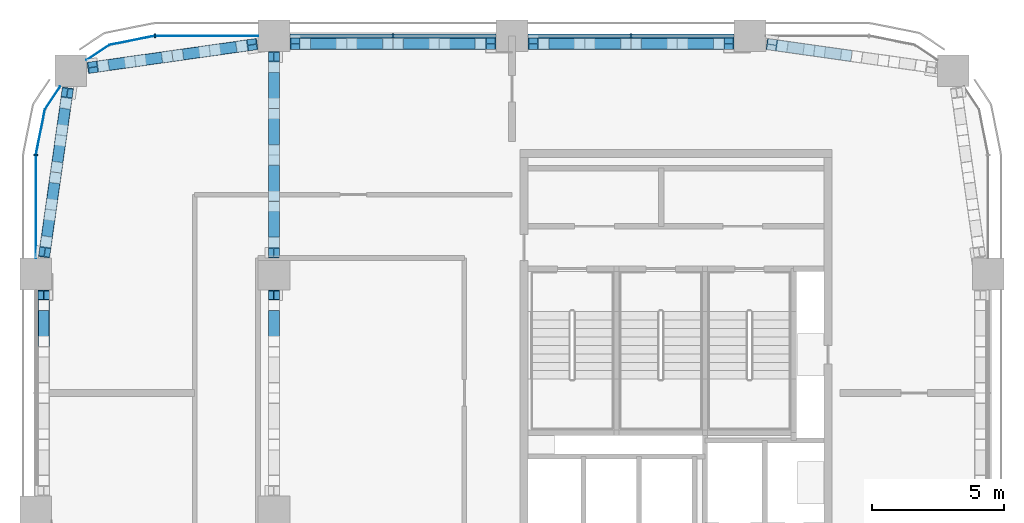
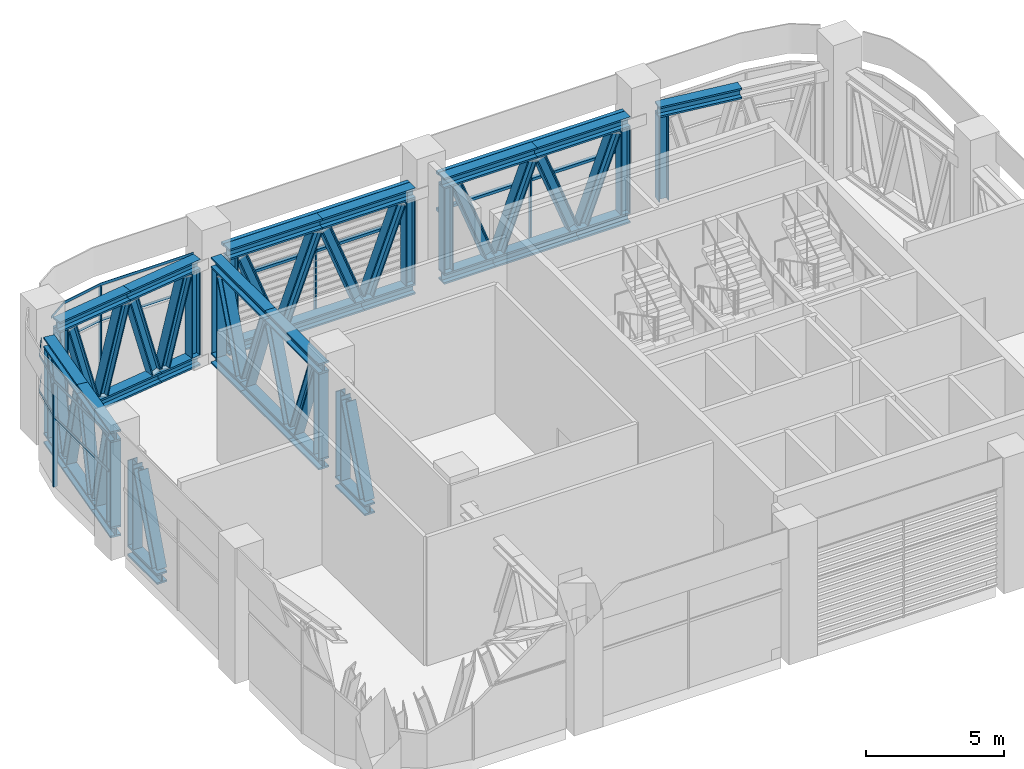
# One storey, part 4 of 14: 75 members, 4 elements without a shape of their own.
"""IFC4 building model written with IfcOpenShell, lengths in metres."""

from ifc_helpers import new_model, si_unit, direction, frame, origin, origin_2d, place, context, subcontext, project, spatial, polyline, rectangle, i_section, outline, extrude, material, material_profile, profile_set, type_object, element, aggregate, save


model = new_model("IFC4")

# Units and contexts
model_context = context("Model", 3, precision=1e-05, world=origin(), true_north=direction((0.0, 1.0)))
body_context = subcontext(model_context, "Body", "Model", "MODEL_VIEW")
ifc_project = project(units=[si_unit("LENGTHUNIT", "METRE"), si_unit("AREAUNIT", "SQUARE_METRE"), si_unit("VOLUMEUNIT", "CUBIC_METRE"), si_unit("PLANEANGLEUNIT", "RADIAN"), si_unit("MASSUNIT", "GRAM", prefix="KILO")], contexts=[model_context])

# Site, building, storey
site_placement = place(None, origin())
site = spatial("IfcSite", under=ifc_project, at=site_placement, CompositionType="ELEMENT")
building_placement = place(site_placement, origin())
building = spatial("IfcBuilding", under=site, at=building_placement, Name="Tessera Arch", CompositionType="ELEMENT")
storey_placement = place(building_placement, frame((0.0, 0.0, 295.199951171875)))
storey = spatial("IfcBuildingStorey", under=building, at=storey_placement, Name="L71", CompositionType="ELEMENT", Elevation=295.199951171875)

# Curtain wall, member
ifc_material_1 = material(Name="CW7 curtain wall")
curtain_wall_type = type_object("IfcCurtainWallType", Name="CW7 curtain wall", PredefinedType="NOTDEFINED", material=ifc_material_1)
curtain_wall_1_placement = place(storey_placement, origin())
curtain_wall_1 = element("IfcCurtainWall", 1, at=curtain_wall_1_placement, inside=storey, type_object=curtain_wall_type, Name="CW7 curtain wall N54.18/1 L71", PredefinedType="NOTDEFINED")
ifc_material_2 = material(Name="Anodised aluminium pale metal", Category="aluminium")
ifc_material_profile_1 = material_profile(ifc_material_2, rectangle(XDim=0.159912109375, YDim=0.06005859375, at=origin_2d()), Name="AL 60x160")
ifc_profile_set_1 = profile_set([ifc_material_profile_1], Name="Anodised aluminium pale metal")
member_type_1 = type_object("IfcMemberType", Name="CW7 mullion", PredefinedType="MULLION", material=ifc_profile_set_1)
member_1_placement = place(storey_placement, frame((40.5, 54.0, 0.0), z_axis=(0.0, 0.0, 1.0), x_axis=(0.0, -1.0, 0.0)))
member_1 = element("IfcMember", 2, at=member_1_placement, type_object=member_type_1, Name="CW7 mullion N54.18/1 1", PredefinedType="MULLION", context=body_context, shape_type="SweptSolid", body=[
    extrude(rectangle(XDim=0.159912109375, YDim=0.06005859375, at=origin_2d()), origin(), (0.0, 0.0, 1.0), 4.580078125),
])

curtain_wall_2_placement = place(storey_placement, origin())
curtain_wall_2 = element("IfcCurtainWall", 3, at=curtain_wall_2_placement, inside=storey, type_object=curtain_wall_type, Name="CW7 curtain wall N54.18/2 L71", PredefinedType="NOTDEFINED")
member_2_placement = place(storey_placement, frame((31.5, 54.0, 0.0), z_axis=(0.0, 0.0, 1.0), x_axis=(0.0, -1.0, 0.0)))
member_2 = element("IfcMember", 4, at=member_2_placement, type_object=member_type_1, Name="CW7 mullion N54.18/2 1", PredefinedType="MULLION", context=body_context, shape_type="SweptSolid", body=[
    extrude(rectangle(XDim=0.159912109375, YDim=0.06005859375, at=origin_2d()), origin(), (0.0, 0.0, 1.0), 4.580078125),
])

curtain_wall_3_placement = place(storey_placement, origin())
curtain_wall_3 = element("IfcCurtainWall", 5, at=curtain_wall_3_placement, inside=storey, type_object=curtain_wall_type, Name="CW7 curtain wall N54.18/3 L71", PredefinedType="NOTDEFINED")
member_3_placement = place(storey_placement, frame((22.5, 54.0, 0.0), z_axis=(0.0, 0.0, 1.0), x_axis=(0.0, -1.0, 0.0)))
member_3 = element("IfcMember", 6, at=member_3_placement, type_object=member_type_1, Name="CW7 mullion N54.18/3 1", PredefinedType="MULLION", context=body_context, shape_type="SweptSolid", body=[
    extrude(rectangle(XDim=0.159912109375, YDim=0.06005859375, at=origin_2d()), origin(), (0.0, 0.0, 1.0), 4.580078125),
])

curtain_wall_4_placement = place(storey_placement, origin())
curtain_wall_4 = element("IfcCurtainWall", 7, at=curtain_wall_4_placement, inside=storey, type_object=curtain_wall_type, Name="CW7 curtain wall W18.27/0 L71", PredefinedType="NOTDEFINED")
member_4_placement = place(storey_placement, frame((18.0, 49.5, 0.0), z_axis=(0.0, 0.0, 1.0), x_axis=(1.0, 0.0, 0.0)))
member_4 = element("IfcMember", 8, at=member_4_placement, type_object=member_type_1, Name="CW7 mullion W18.27/0 1", PredefinedType="MULLION", context=body_context, shape_type="SweptSolid", body=[
    extrude(rectangle(XDim=0.159912109375, YDim=0.06005859375, at=origin_2d()), origin(), (0.0, 0.0, 1.0), 4.580078125),
])

# Member
ifc_material_3 = material(Name="Anodised aluminium pale metal", Category="aluminium")
ifc_material_profile_2 = material_profile(ifc_material_3, rectangle(XDim=0.159912109375, YDim=0.1201171875, at=origin_2d()), Name="AL 160x120")
ifc_profile_set_2 = profile_set([ifc_material_profile_2], Name="Anodised aluminium pale metal")
member_type_2 = type_object("IfcMemberType", Name="CW7 transom", PredefinedType="USERDEFINED", material=ifc_profile_set_2)
member_5_placement = place(storey_placement, frame((44.39990234375, 54.0, 4.64013671875), z_axis=(-1.0, 0.0, 0.0), x_axis=(0.0, -1.0, 0.0)))
member_5 = element("IfcMember", 9, at=member_5_placement, type_object=member_type_2, Name="CW7 transom N54.18/1 1.1", ObjectType="TRANSOM", PredefinedType="USERDEFINED", context=body_context, shape_type="SweptSolid", body=[
    extrude(rectangle(XDim=0.159912109375, YDim=0.1201171875, at=origin_2d()), origin(), (0.0, 0.0, 1.0), 7.7998046875),
])

member_6_placement = place(storey_placement, frame((44.39990234375, 54.0, 3.0), z_axis=(-1.0, 0.0, 0.0), x_axis=(0.0, -1.0, 0.0)))
member_6 = element("IfcMember", 10, at=member_6_placement, type_object=member_type_2, Name="CW7 transom N54.18/1 2.1", ObjectType="TRANSOM", PredefinedType="USERDEFINED", context=body_context, shape_type="SweptSolid", body=[
    extrude(rectangle(XDim=0.159912109375, YDim=0.1201171875, at=origin_2d()), origin(), (0.0, 0.0, 1.0), 7.7998046875),
])

aggregate(curtain_wall_1, [member_1, member_5, member_6])

member_7_placement = place(storey_placement, frame((35.39990234375, 54.0, 4.64013671875), z_axis=(-1.0, 0.0, 0.0), x_axis=(0.0, -1.0, 0.0)))
member_7 = element("IfcMember", 11, at=member_7_placement, type_object=member_type_2, Name="CW7 transom N54.18/2 1.1", ObjectType="TRANSOM", PredefinedType="USERDEFINED", context=body_context, shape_type="SweptSolid", body=[
    extrude(rectangle(XDim=0.159912109375, YDim=0.1201171875, at=origin_2d()), origin(), (0.0, 0.0, 1.0), 7.7998046875),
])

member_8_placement = place(storey_placement, frame((35.39990234375, 54.0, 3.0), z_axis=(-1.0, 0.0, 0.0), x_axis=(0.0, -1.0, 0.0)))
member_8 = element("IfcMember", 12, at=member_8_placement, type_object=member_type_2, Name="CW7 transom N54.18/2 2.1", ObjectType="TRANSOM", PredefinedType="USERDEFINED", context=body_context, shape_type="SweptSolid", body=[
    extrude(rectangle(XDim=0.159912109375, YDim=0.1201171875, at=origin_2d()), origin(), (0.0, 0.0, 1.0), 7.7998046875),
])

aggregate(curtain_wall_2, [member_2, member_7, member_8])

member_9_placement = place(storey_placement, frame((0.0, 0.0, 3.0)))
member_9 = element("IfcMember", 13, at=member_9_placement, type_object=member_type_2, Name="CW7 transom N54.18/3 1", ObjectType="TRANSOM", PredefinedType="USERDEFINED", context=body_context, shape_type="SweptSolid", body=[
    extrude(outline(polyline([(22.5009765625, 53.989990234375), (26.39990234375, 53.989990234375), (26.39990234375, 54.010009765625), (22.4990234375, 54.010009765625), (20.77392578125, 53.6669921875), (19.912353515625, 53.09130859375), (19.923583984375, 53.07470703125), (20.78173828125, 53.648193359375), (22.5009765625, 53.989990234375)])), origin(), (0.0, 0.0, 1.0), 0.1201171875),
])

member_10_placement = place(storey_placement, frame((0.0, 0.0, 4.580078125)))
member_10 = element("IfcMember", 14, at=member_10_placement, type_object=member_type_2, Name="CW7 transom N54.18/3 2", ObjectType="TRANSOM", PredefinedType="USERDEFINED", context=body_context, shape_type="SweptSolid", body=[
    extrude(outline(polyline([(22.5009765625, 53.989990234375), (26.39990234375, 53.989990234375), (26.39990234375, 54.010009765625), (22.4990234375, 54.010009765625), (20.77392578125, 53.6669921875), (19.912353515625, 53.09130859375), (19.923583984375, 53.07470703125), (20.78173828125, 53.648193359375), (22.5009765625, 53.989990234375)])), origin(), (0.0, 0.0, 1.0), 0.119873046875),
])

aggregate(curtain_wall_3, [member_3, member_9, member_10])

member_11_placement = place(storey_placement, frame((0.0, 0.0, 3.0)))
member_11 = element("IfcMember", 15, at=member_11_placement, type_object=member_type_2, Name="CW7 transom W18.27/0 1", ObjectType="TRANSOM", PredefinedType="USERDEFINED", context=body_context, shape_type="SweptSolid", body=[
    extrude(outline(polyline([(18.351806640625, 51.21826171875), (18.92529296875, 52.076416015625), (18.90869140625, 52.087646484375), (18.3330078125, 51.22607421875), (17.989990234375, 49.5009765625), (17.989990234375, 45.60009765625), (18.010009765625, 45.60009765625), (18.010009765625, 49.4990234375), (18.351806640625, 51.21826171875)])), origin(), (0.0, 0.0, 1.0), 0.1201171875),
])

member_12_placement = place(storey_placement, frame((0.0, 0.0, 4.580078125)))
member_12 = element("IfcMember", 16, at=member_12_placement, type_object=member_type_2, Name="CW7 transom W18.27/0 2", ObjectType="TRANSOM", PredefinedType="USERDEFINED", context=body_context, shape_type="SweptSolid", body=[
    extrude(outline(polyline([(18.351806640625, 51.21826171875), (18.92529296875, 52.076416015625), (18.90869140625, 52.087646484375), (18.3330078125, 51.22607421875), (17.989990234375, 49.5009765625), (17.989990234375, 45.60009765625), (18.010009765625, 45.60009765625), (18.010009765625, 49.4990234375), (18.351806640625, 51.21826171875)])), origin(), (0.0, 0.0, 1.0), 0.119873046875),
])

aggregate(curtain_wall_4, [member_4, member_11, member_12])

# Members
ifc_material_4 = material(Name="Steel A992 Gr50", Category="steel")
ifc_material_profile_3 = material_profile(ifc_material_4, i_section(OverallWidth=0.424072265625, OverallDepth=0.47412109375, WebThickness=0.047607421875, FlangeThickness=0.0771484375, at=origin_2d()), Name="W14x426")
ifc_profile_set_3 = profile_set([ifc_material_profile_3], Name="Steel A992 Gr50")
member_type_3 = type_object("IfcMemberType", Name="Truss chord W14x426", PredefinedType="CHORD", material=ifc_profile_set_3)
member_13_placement = place(storey_placement, frame((48.834716796875, 53.2392578125, 4.462890625), z_axis=(-0.990132683827, 0.140133038281, 0.0), x_axis=(-0.140133038281, -0.990132683827, 0.0)))
element("IfcMember", 17, at=member_13_placement, inside=storey, type_object=member_type_3, Name="Belt truss top chord 2", PredefinedType="CHORD", context=body_context, shape_type="SweptSolid", body=[
    extrude(i_section(OverallWidth=0.424072265625, OverallDepth=0.47412109375, WebThickness=0.047607421875, FlangeThickness=0.0771484375, at=origin_2d()), origin(), (0.0, 0.0, 1.0), 3.237060546875),
])
for number, where, z_axis, x_axis, name in (
    (18, (44.39990234375, 53.699951171875, 4.462890625), (-1.0, 0.0, 0.0), (0.0, -1.0, 0.0), "Belt truss top chord 1"),
    (19, (40.5, 53.699951171875, 4.462890625), (-1.0, 0.0, 0.0), (0.0, -1.0, 0.0), "Belt truss top chord 2"),
):
    element("IfcMember", number, at=place(storey_placement, frame(where, z_axis=z_axis, x_axis=x_axis)), inside=storey, type_object=member_type_3, Name=name, PredefinedType="CHORD", context=body_context, shape_type="SweptSolid", body=[
        extrude(i_section(OverallWidth=0.424072265625, OverallDepth=0.47412109375, WebThickness=0.047607421875, FlangeThickness=0.0771484375, at=origin_2d()), origin(), (0.0, 0.0, 1.0), 3.89990234375),
    ])
member_14_placement = place(storey_placement, frame((44.39990234375, 53.699951171875, 0.237060546875), z_axis=(-1.0, 0.0, 0.0), x_axis=(0.0, -1.0, 0.0)))
element("IfcMember", 20, at=member_14_placement, inside=storey, type_object=member_type_3, Name="Belt truss bottom chord 1", PredefinedType="CHORD", context=body_context, shape_type="SweptSolid", body=[
    extrude(i_section(OverallWidth=0.424072265625, OverallDepth=0.47412109375, WebThickness=0.047607421875, FlangeThickness=0.0771484375, at=origin_2d()), origin(), (0.0, 0.0, 1.0), 2.146728515625),
])
member_15_placement = place(storey_placement, frame((42.253173828125, 53.699951171875, 0.237060546875), z_axis=(-1.0, 0.0, 0.0), x_axis=(0.0, -1.0, 0.0)))
element("IfcMember", 21, at=member_15_placement, inside=storey, type_object=member_type_3, Name="Belt truss bottom chord 2", PredefinedType="CHORD", context=body_context, shape_type="SweptSolid", body=[
    extrude(i_section(OverallWidth=0.424072265625, OverallDepth=0.47412109375, WebThickness=0.047607421875, FlangeThickness=0.0771484375, at=origin_2d()), origin(), (0.0, 0.0, 1.0), 3.50634765625),
])
member_16_placement = place(storey_placement, frame((38.746826171875, 53.699951171875, 0.237060546875), z_axis=(-1.0, 0.0, 0.0), x_axis=(0.0, -1.0, 0.0)))
element("IfcMember", 22, at=member_16_placement, inside=storey, type_object=member_type_3, Name="Belt truss bottom chord 3", PredefinedType="CHORD", context=body_context, shape_type="SweptSolid", body=[
    extrude(i_section(OverallWidth=0.424072265625, OverallDepth=0.47412109375, WebThickness=0.047607421875, FlangeThickness=0.0771484375, at=origin_2d()), origin(), (0.0, 0.0, 1.0), 2.146728515625),
])
for number, where, z_axis, x_axis, name in (
    (23, (35.39990234375, 53.699951171875, 4.462890625), (-1.0, 0.0, 0.0), (0.0, -1.0, 0.0), "Belt truss top chord 1"),
    (24, (31.5, 53.699951171875, 4.462890625), (-1.0, 0.0, 0.0), (0.0, -1.0, 0.0), "Belt truss top chord 2"),
):
    element("IfcMember", number, at=place(storey_placement, frame(where, z_axis=z_axis, x_axis=x_axis)), inside=storey, type_object=member_type_3, Name=name, PredefinedType="CHORD", context=body_context, shape_type="SweptSolid", body=[
        extrude(i_section(OverallWidth=0.424072265625, OverallDepth=0.47412109375, WebThickness=0.047607421875, FlangeThickness=0.0771484375, at=origin_2d()), origin(), (0.0, 0.0, 1.0), 3.89990234375),
    ])
member_17_placement = place(storey_placement, frame((35.39990234375, 53.699951171875, 0.237060546875), z_axis=(-1.0, 0.0, 0.0), x_axis=(0.0, -1.0, 0.0)))
element("IfcMember", 25, at=member_17_placement, inside=storey, type_object=member_type_3, Name="Belt truss bottom chord 1", PredefinedType="CHORD", context=body_context, shape_type="SweptSolid", body=[
    extrude(i_section(OverallWidth=0.424072265625, OverallDepth=0.47412109375, WebThickness=0.047607421875, FlangeThickness=0.0771484375, at=origin_2d()), origin(), (0.0, 0.0, 1.0), 2.146728515625),
])
member_18_placement = place(storey_placement, frame((33.253173828125, 53.699951171875, 0.237060546875), z_axis=(-1.0, 0.0, 0.0), x_axis=(0.0, -1.0, 0.0)))
element("IfcMember", 26, at=member_18_placement, inside=storey, type_object=member_type_3, Name="Belt truss bottom chord 2", PredefinedType="CHORD", context=body_context, shape_type="SweptSolid", body=[
    extrude(i_section(OverallWidth=0.424072265625, OverallDepth=0.47412109375, WebThickness=0.047607421875, FlangeThickness=0.0771484375, at=origin_2d()), origin(), (0.0, 0.0, 1.0), 3.50634765625),
])
member_19_placement = place(storey_placement, frame((29.746826171875, 53.699951171875, 0.237060546875), z_axis=(-1.0, 0.0, 0.0), x_axis=(0.0, -1.0, 0.0)))
element("IfcMember", 27, at=member_19_placement, inside=storey, type_object=member_type_3, Name="Belt truss bottom chord 3", PredefinedType="CHORD", context=body_context, shape_type="SweptSolid", body=[
    extrude(i_section(OverallWidth=0.424072265625, OverallDepth=0.47412109375, WebThickness=0.047607421875, FlangeThickness=0.0771484375, at=origin_2d()), origin(), (0.0, 0.0, 1.0), 2.146728515625),
])
member_20_placement = place(storey_placement, frame((26.370361328125, 53.69287109375, 4.462890625), z_axis=(-0.990132683827, -0.140133038281, 0.0), x_axis=(0.140133038281, -0.990132683827, 0.0)))
element("IfcMember", 28, at=member_20_placement, inside=storey, type_object=member_type_3, Name="Belt truss top chord 1", PredefinedType="CHORD", context=body_context, shape_type="SweptSolid", body=[
    extrude(i_section(OverallWidth=0.424072265625, OverallDepth=0.47412109375, WebThickness=0.047607421875, FlangeThickness=0.0771484375, at=origin_2d()), origin(), (0.0, 0.0, 1.0), 3.237060546875),
])
member_21_placement = place(storey_placement, frame((23.165283203125, 53.2392578125, 4.462890625), z_axis=(-0.990144625283, -0.140048638065, 0.0), x_axis=(0.140048638065, -0.990144625283, 0.0)))
element("IfcMember", 29, at=member_21_placement, inside=storey, type_object=member_type_3, Name="Belt truss top chord 2", PredefinedType="CHORD", context=body_context, shape_type="SweptSolid", body=[
    extrude(i_section(OverallWidth=0.424072265625, OverallDepth=0.47412109375, WebThickness=0.047607421875, FlangeThickness=0.0771484375, at=origin_2d()), origin(), (0.0, 0.0, 1.0), 3.2373046875),
])
member_22_placement = place(storey_placement, frame((26.370361328125, 53.69287109375, 0.237060546875), z_axis=(-0.99013421589, -0.140122212815, 0.0), x_axis=(0.140122212815, -0.99013421589, 0.0)))
element("IfcMember", 30, at=member_22_placement, inside=storey, type_object=member_type_3, Name="Belt truss bottom chord 1", PredefinedType="CHORD", context=body_context, shape_type="SweptSolid", body=[
    extrude(i_section(OverallWidth=0.424072265625, OverallDepth=0.47412109375, WebThickness=0.047607421875, FlangeThickness=0.0771484375, at=origin_2d()), origin(), (0.0, 0.0, 1.0), 1.8154296875),
])
member_23_placement = place(storey_placement, frame((24.57275390625, 53.4384765625, 0.237060546875), z_axis=(-0.990144324177, -0.140050766866, 0.0), x_axis=(0.140050766866, -0.990144324177, 0.0)))
element("IfcMember", 31, at=member_23_placement, inside=storey, type_object=member_type_3, Name="Belt truss bottom chord 2", PredefinedType="CHORD", context=body_context, shape_type="SweptSolid", body=[
    extrude(i_section(OverallWidth=0.424072265625, OverallDepth=0.47412109375, WebThickness=0.047607421875, FlangeThickness=0.0771484375, at=origin_2d()), origin(), (0.0, 0.0, 1.0), 2.84326171875),
])
member_24_placement = place(storey_placement, frame((21.757568359375, 53.040283203125, 0.237060546875), z_axis=(-0.99013421589, -0.140122212815, 0.0), x_axis=(0.140122212815, -0.99013421589, 0.0)))
element("IfcMember", 32, at=member_24_placement, inside=storey, type_object=member_type_3, Name="Belt truss bottom chord 3", PredefinedType="CHORD", context=body_context, shape_type="SweptSolid", body=[
    extrude(i_section(OverallWidth=0.424072265625, OverallDepth=0.47412109375, WebThickness=0.047607421875, FlangeThickness=0.0771484375, at=origin_2d()), origin(), (0.0, 0.0, 1.0), 1.8154296875),
])
member_25_placement = place(storey_placement, frame((19.214111328125, 52.0400390625, 4.462890625), z_axis=(-0.140048638065, -0.990144625283, 0.0), x_axis=(0.990144625283, -0.140048638065, 0.0)))
element("IfcMember", 33, at=member_25_placement, inside=storey, type_object=member_type_3, Name="Belt truss top chord 1", PredefinedType="CHORD", context=body_context, shape_type="SweptSolid", body=[
    extrude(i_section(OverallWidth=0.424072265625, OverallDepth=0.47412109375, WebThickness=0.047607421875, FlangeThickness=0.0771484375, at=origin_2d()), origin(), (0.0, 0.0, 1.0), 3.2373046875),
])
member_26_placement = place(storey_placement, frame((18.7607421875, 48.834716796875, 4.462890625), z_axis=(-0.140133038281, -0.990132683827, 0.0), x_axis=(0.990132683827, -0.140133038281, 0.0)))
element("IfcMember", 34, at=member_26_placement, inside=storey, type_object=member_type_3, Name="Belt truss top chord 2", PredefinedType="CHORD", context=body_context, shape_type="SweptSolid", body=[
    extrude(i_section(OverallWidth=0.424072265625, OverallDepth=0.47412109375, WebThickness=0.047607421875, FlangeThickness=0.0771484375, at=origin_2d()), origin(), (0.0, 0.0, 1.0), 3.237060546875),
])
member_27_placement = place(storey_placement, frame((19.214111328125, 52.0400390625, 0.237060546875), z_axis=(-0.140122212815, -0.99013421589, 0.0), x_axis=(0.99013421589, -0.140122212815, 0.0)))
element("IfcMember", 35, at=member_27_placement, inside=storey, type_object=member_type_3, Name="Belt truss bottom chord 1", PredefinedType="CHORD", context=body_context, shape_type="SweptSolid", body=[
    extrude(i_section(OverallWidth=0.424072265625, OverallDepth=0.47412109375, WebThickness=0.047607421875, FlangeThickness=0.0771484375, at=origin_2d()), origin(), (0.0, 0.0, 1.0), 1.8154296875),
])
member_28_placement = place(storey_placement, frame((18.959716796875, 50.242431640625, 0.237060546875), z_axis=(-0.140050766866, -0.990144324177, 0.0), x_axis=(0.990144324177, -0.140050766866, 0.0)))
element("IfcMember", 36, at=member_28_placement, inside=storey, type_object=member_type_3, Name="Belt truss bottom chord 2", PredefinedType="CHORD", context=body_context, shape_type="SweptSolid", body=[
    extrude(i_section(OverallWidth=0.424072265625, OverallDepth=0.47412109375, WebThickness=0.047607421875, FlangeThickness=0.0771484375, at=origin_2d()), origin(), (0.0, 0.0, 1.0), 2.84326171875),
])
member_29_placement = place(storey_placement, frame((18.5615234375, 47.42724609375, 0.237060546875), z_axis=(-0.140122212815, -0.99013421589, 0.0), x_axis=(0.99013421589, -0.140122212815, 0.0)))
element("IfcMember", 37, at=member_29_placement, inside=storey, type_object=member_type_3, Name="Belt truss bottom chord 3", PredefinedType="CHORD", context=body_context, shape_type="SweptSolid", body=[
    extrude(i_section(OverallWidth=0.424072265625, OverallDepth=0.47412109375, WebThickness=0.047607421875, FlangeThickness=0.0771484375, at=origin_2d()), origin(), (0.0, 0.0, 1.0), 1.8154296875),
])
for number, where, z_axis, x_axis, name in (
    (38, (18.300048828125, 44.39990234375, 0.237060546875), (0.0, -1.0, 0.0), (1.0, 0.0, 0.0), "Belt truss bottom chord 1"),
    (39, (27.0, 42.253173828125, 0.237060546875), (0.0, 1.0, 0.0), (-1.0, 0.0, 0.0), "Belt truss bottom chord 3"),
):
    element("IfcMember", number, at=place(storey_placement, frame(where, z_axis=z_axis, x_axis=x_axis)), inside=storey, type_object=member_type_3, Name=name, PredefinedType="CHORD", context=body_context, shape_type="SweptSolid", body=[
        extrude(i_section(OverallWidth=0.424072265625, OverallDepth=0.47412109375, WebThickness=0.047607421875, FlangeThickness=0.0771484375, at=origin_2d()), origin(), (0.0, 0.0, 1.0), 2.146728515625),
    ])
for number, where, z_axis, x_axis, name in (
    (40, (27.0, 45.60009765625, 4.462890625), (0.0, 1.0, 0.0), (-1.0, 0.0, 0.0), "Belt truss top chord 1"),
    (41, (27.0, 49.5, 4.462890625), (0.0, 1.0, 0.0), (-1.0, 0.0, 0.0), "Belt truss top chord 2"),
):
    element("IfcMember", number, at=place(storey_placement, frame(where, z_axis=z_axis, x_axis=x_axis)), inside=storey, type_object=member_type_3, Name=name, PredefinedType="CHORD", context=body_context, shape_type="SweptSolid", body=[
        extrude(i_section(OverallWidth=0.424072265625, OverallDepth=0.47412109375, WebThickness=0.047607421875, FlangeThickness=0.0771484375, at=origin_2d()), origin(), (0.0, 0.0, 1.0), 3.89990234375),
    ])
member_30_placement = place(storey_placement, frame((27.0, 45.60009765625, 0.237060546875), z_axis=(0.0, 1.0, 0.0), x_axis=(-1.0, 0.0, 0.0)))
element("IfcMember", 42, at=member_30_placement, inside=storey, type_object=member_type_3, Name="Belt truss bottom chord 1", PredefinedType="CHORD", context=body_context, shape_type="SweptSolid", body=[
    extrude(i_section(OverallWidth=0.424072265625, OverallDepth=0.47412109375, WebThickness=0.047607421875, FlangeThickness=0.0771484375, at=origin_2d()), origin(), (0.0, 0.0, 1.0), 2.146728515625),
])
member_31_placement = place(storey_placement, frame((27.0, 47.746826171875, 0.237060546875), z_axis=(0.0, 1.0, 0.0), x_axis=(-1.0, 0.0, 0.0)))
element("IfcMember", 43, at=member_31_placement, inside=storey, type_object=member_type_3, Name="Belt truss bottom chord 2", PredefinedType="CHORD", context=body_context, shape_type="SweptSolid", body=[
    extrude(i_section(OverallWidth=0.424072265625, OverallDepth=0.47412109375, WebThickness=0.047607421875, FlangeThickness=0.0771484375, at=origin_2d()), origin(), (0.0, 0.0, 1.0), 3.50634765625),
])
member_32_placement = place(storey_placement, frame((27.0, 51.253173828125, 0.237060546875), z_axis=(0.0, 1.0, 0.0), x_axis=(-1.0, 0.0, 0.0)))
element("IfcMember", 44, at=member_32_placement, inside=storey, type_object=member_type_3, Name="Belt truss bottom chord 3", PredefinedType="CHORD", context=body_context, shape_type="SweptSolid", body=[
    extrude(i_section(OverallWidth=0.424072265625, OverallDepth=0.47412109375, WebThickness=0.047607421875, FlangeThickness=0.0771484375, at=origin_2d()), origin(), (0.0, 0.0, 1.0), 2.146728515625),
])
ifc_material_5 = material(Name="Steel A992 Gr50", Category="steel")
ifc_material_profile_4 = material_profile(ifc_material_5, i_section(OverallWidth=0.406494140625, OverallDepth=0.41650390625, WebThickness=0.030029296875, FlangeThickness=0.048095703125, at=origin_2d()), Name="W14x257")
ifc_profile_set_4 = profile_set([ifc_material_profile_4], Name="Steel A992 Gr50")
member_type_4 = type_object("IfcMemberType", Name="Truss diagonal W14x257", PredefinedType="BRACE", material=ifc_profile_set_4)
for number, where, z_axis, x_axis, name in (
    (45, (43.80517578125, 53.699951171875, 4.13525390625), (-0.353848249837, 0.0, -0.935302847257), (0.0, -1.0, 0.0), "Belt truss diagonal 1"),
    (46, (42.052001953125, 53.699951171875, 0.564697265625), (-0.353848249837, 0.0, 0.935302847257), (0.0, -1.0, 0.0), "Belt truss diagonal 2"),
    (47, (40.298828125, 53.699951171875, 4.13525390625), (-0.353848249837, 0.0, -0.935302847257), (0.0, -1.0, 0.0), "Belt truss diagonal 3"),
    (48, (38.545654296875, 53.699951171875, 0.564697265625), (-0.353848249837, 0.0, 0.935302847257), (0.0, -1.0, 0.0), "Belt truss diagonal 4"),
    (49, (34.80517578125, 53.699951171875, 4.13525390625), (-0.353848249837, 0.0, -0.935302847257), (0.0, -1.0, 0.0), "Belt truss diagonal 1"),
    (50, (33.052001953125, 53.699951171875, 0.564697265625), (-0.353848249837, 0.0, 0.935302847257), (0.0, -1.0, 0.0), "Belt truss diagonal 2"),
    (51, (31.298828125, 53.699951171875, 4.13525390625), (-0.353848249837, 0.0, -0.935302847257), (0.0, -1.0, 0.0), "Belt truss diagonal 3"),
    (52, (29.545654296875, 53.699951171875, 0.564697265625), (-0.353848249837, 0.0, 0.935302847257), (0.0, -1.0, 0.0), "Belt truss diagonal 4"),
):
    element("IfcMember", number, at=place(storey_placement, frame(where, z_axis=z_axis, x_axis=x_axis)), inside=storey, type_object=member_type_4, Name=name, PredefinedType="BRACE", context=body_context, shape_type="SweptSolid", body=[
        extrude(i_section(OverallWidth=0.406494140625, OverallDepth=0.41650390625, WebThickness=0.030029296875, FlangeThickness=0.048095703125, at=origin_2d()), origin(), (0.0, 0.0, 1.0), 3.817626953125),
    ])
for number, where, z_axis, x_axis, name in (
    (53, (25.777099609375, 53.60888671875, 4.15234375), (-0.267324503165, -0.037825862853, -0.96286386063), (0.14010233632, -0.990137028576, 0.0), "Belt truss diagonal 1"),
    (54, (24.369384765625, 53.40966796875, 0.5478515625), (-0.267324503165, -0.037825862853, 0.96286386063), (0.14010233632, -0.990137028576, 0.0), "Belt truss diagonal 2"),
):
    element("IfcMember", number, at=place(storey_placement, frame(where, z_axis=z_axis, x_axis=x_axis)), inside=storey, type_object=member_type_4, Name=name, PredefinedType="BRACE", context=body_context, shape_type="SweptSolid", body=[
        extrude(i_section(OverallWidth=0.406494140625, OverallDepth=0.41650390625, WebThickness=0.030029296875, FlangeThickness=0.048095703125, at=origin_2d()), origin(), (0.0, 0.0, 1.0), 3.743408203125),
    ])
for number, where, z_axis, x_axis, name in (
    (55, (22.9619140625, 53.21044921875, 4.15234375), (-0.267385058023, -0.03782520333, -0.962847072353), (0.140068835515, -0.990141768293, 0.0), "Belt truss diagonal 3"),
    (56, (21.55419921875, 53.011474609375, 0.5478515625), (-0.267385058023, -0.03782520333, 0.962847072353), (0.140068835515, -0.990141768293, 0.0), "Belt truss diagonal 4"),
    (57, (19.130126953125, 51.44677734375, 4.15234375), (-0.03782520333, -0.267385058023, -0.962847072353), (0.990141768293, -0.140068835515, 0.0), "Belt truss diagonal 1"),
    (58, (18.93115234375, 50.0390625, 0.5478515625), (-0.03782520333, -0.267385058023, 0.962847072353), (0.990141768293, -0.140068835515, 0.0), "Belt truss diagonal 2"),
):
    element("IfcMember", number, at=place(storey_placement, frame(where, z_axis=z_axis, x_axis=x_axis)), inside=storey, type_object=member_type_4, Name=name, PredefinedType="BRACE", context=body_context, shape_type="SweptSolid", body=[
        extrude(i_section(OverallWidth=0.406494140625, OverallDepth=0.41650390625, WebThickness=0.030029296875, FlangeThickness=0.048095703125, at=origin_2d()), origin(), (0.0, 0.0, 1.0), 3.74365234375),
    ])
for number, where, z_axis, x_axis, name in (
    (59, (18.73193359375, 48.63134765625, 4.15234375), (-0.037825862853, -0.267324503165, -0.96286386063), (0.990137028576, -0.14010233632, 0.0), "Belt truss diagonal 3"),
    (60, (18.53271484375, 47.2236328125, 0.5478515625), (-0.037825862853, -0.267324503165, 0.96286386063), (0.990137028576, -0.14010233632, 0.0), "Belt truss diagonal 4"),
):
    element("IfcMember", number, at=place(storey_placement, frame(where, z_axis=z_axis, x_axis=x_axis)), inside=storey, type_object=member_type_4, Name=name, PredefinedType="BRACE", context=body_context, shape_type="SweptSolid", body=[
        extrude(i_section(OverallWidth=0.406494140625, OverallDepth=0.41650390625, WebThickness=0.030029296875, FlangeThickness=0.048095703125, at=origin_2d()), origin(), (0.0, 0.0, 1.0), 3.743408203125),
    ])
member_33_placement = place(storey_placement, frame((18.300048828125, 43.80517578125, 4.13525390625), z_axis=(0.0, -0.353848249837, -0.935302847257), x_axis=(1.0, 0.0, 0.0)))
element("IfcMember", 61, at=member_33_placement, inside=storey, type_object=member_type_4, Name="Belt truss diagonal 1", PredefinedType="BRACE", context=body_context, shape_type="SweptSolid", body=[
    extrude(i_section(OverallWidth=0.406494140625, OverallDepth=0.41650390625, WebThickness=0.030029296875, FlangeThickness=0.048095703125, at=origin_2d()), origin(), (0.0, 0.0, 1.0), 3.817626953125),
])
for number, where, z_axis, x_axis, name in (
    (62, (27.0, 42.454345703125, 0.564697265625), (0.0, 0.353792302988, 0.935324011424), (-1.0, 0.0, 0.0), "Belt truss diagonal 4"),
    (63, (27.0, 46.195068359375, 4.13525390625), (0.0, 0.353792302988, -0.935324011424), (-1.0, 0.0, 0.0), "Belt truss diagonal 1"),
):
    element("IfcMember", number, at=place(storey_placement, frame(where, z_axis=z_axis, x_axis=x_axis)), inside=storey, type_object=member_type_4, Name=name, PredefinedType="BRACE", context=body_context, shape_type="SweptSolid", body=[
        extrude(i_section(OverallWidth=0.406494140625, OverallDepth=0.41650390625, WebThickness=0.030029296875, FlangeThickness=0.048095703125, at=origin_2d()), origin(), (0.0, 0.0, 1.0), 3.8173828125),
    ])
for number, where, z_axis, x_axis, name in (
    (64, (27.0, 47.947998046875, 0.564697265625), (0.0, 0.353848249837, 0.935302847257), (-1.0, 0.0, 0.0), "Belt truss diagonal 2"),
    (65, (27.0, 49.701171875, 4.13525390625), (0.0, 0.353848249837, -0.935302847257), (-1.0, 0.0, 0.0), "Belt truss diagonal 3"),
):
    element("IfcMember", number, at=place(storey_placement, frame(where, z_axis=z_axis, x_axis=x_axis)), inside=storey, type_object=member_type_4, Name=name, PredefinedType="BRACE", context=body_context, shape_type="SweptSolid", body=[
        extrude(i_section(OverallWidth=0.406494140625, OverallDepth=0.41650390625, WebThickness=0.030029296875, FlangeThickness=0.048095703125, at=origin_2d()), origin(), (0.0, 0.0, 1.0), 3.817626953125),
    ])
member_34_placement = place(storey_placement, frame((27.0, 51.454345703125, 0.564697265625), z_axis=(0.0, 0.353792302988, 0.935324011424), x_axis=(-1.0, 0.0, 0.0)))
element("IfcMember", 66, at=member_34_placement, inside=storey, type_object=member_type_4, Name="Belt truss diagonal 4", PredefinedType="BRACE", context=body_context, shape_type="SweptSolid", body=[
    extrude(i_section(OverallWidth=0.406494140625, OverallDepth=0.41650390625, WebThickness=0.030029296875, FlangeThickness=0.048095703125, at=origin_2d()), origin(), (0.0, 0.0, 1.0), 3.8173828125),
])
ifc_material_6 = material(Name="Steel A992 Gr50", Category="steel")
ifc_material_profile_5 = material_profile(ifc_material_6, i_section(OverallWidth=0.398681640625, OverallDepth=0.393798828125, WebThickness=0.022705078125, FlangeThickness=0.03662109375, at=origin_2d()), Name="W14x193")
ifc_profile_set_5 = profile_set([ifc_material_profile_5], Name="Steel A992 Gr50")
member_type_5 = type_object("IfcMemberType", Name="Truss post W14x193", PredefinedType="POST", material=ifc_profile_set_5)
for number, where, z_axis, x_axis, name in (
    (67, (45.824462890625, 53.665283203125, 0.474365234375), (0.0, 0.0, 1.0), (0.140088924592, 0.990138926215, 0.0), "Belt truss end post 2"),
    (68, (44.203125, 53.699951171875, 0.474365234375), (0.0, 0.0, 1.0), (0.0, 1.0, 0.0), "Belt truss end post 1"),
    (69, (36.796875, 53.699951171875, 0.474365234375), (0.0, 0.0, 1.0), (0.0, 1.0, 0.0), "Belt truss end post 2"),
    (70, (35.203125, 53.699951171875, 0.474365234375), (0.0, 0.0, 1.0), (0.0, 1.0, 0.0), "Belt truss end post 1"),
    (71, (27.796875, 53.699951171875, 0.474365234375), (0.0, 0.0, 1.0), (0.0, 1.0, 0.0), "Belt truss end post 2"),
    (72, (26.175537109375, 53.665283203125, 0.474365234375), (0.0, 0.0, 1.0), (-0.140088924592, 0.990138926215, 0.0), "Belt truss end post 1"),
    (73, (20.155029296875, 52.8134765625, 0.474365234375), (0.0, 0.0, 1.0), (-0.140088924592, 0.990138926215, 0.0), "Belt truss end post 2"),
    (74, (19.1865234375, 51.844970703125, 0.474365234375), (0.0, 0.0, 1.0), (-0.990138926215, 0.140088924592, 0.0), "Belt truss end post 1"),
    (75, (18.334716796875, 45.824462890625, 0.474365234375), (0.0, 0.0, 1.0), (-0.990138926215, 0.140088924592, 0.0), "Belt truss end post 2"),
    (76, (18.300048828125, 44.203125, 0.474365234375), (0.0, 0.0, 1.0), (1.0, 0.0, 0.0), "Belt truss end post 1"),
    (77, (27.0, 44.203125, 0.474365234375), (0.0, 0.0, 1.0), (1.0, 0.0, 0.0), "Belt truss end post 2"),
    (78, (27.0, 45.796875, 0.474365234375), (0.0, 0.0, 1.0), (1.0, 0.0, 0.0), "Belt truss end post 1"),
    (79, (27.0, 53.203125, 0.474365234375), (0.0, 0.0, 1.0), (1.0, 0.0, 0.0), "Belt truss end post 2"),
):
    element("IfcMember", number, at=place(storey_placement, frame(where, z_axis=z_axis, x_axis=x_axis)), inside=storey, type_object=member_type_5, Name=name, PredefinedType="POST", context=body_context, shape_type="SweptSolid", body=[
        extrude(i_section(OverallWidth=0.398681640625, OverallDepth=0.393798828125, WebThickness=0.022705078125, FlangeThickness=0.03662109375, at=origin_2d()), origin(), (0.0, 0.0, 1.0), 3.75146484375),
    ])

save(model, "model.ifc")
